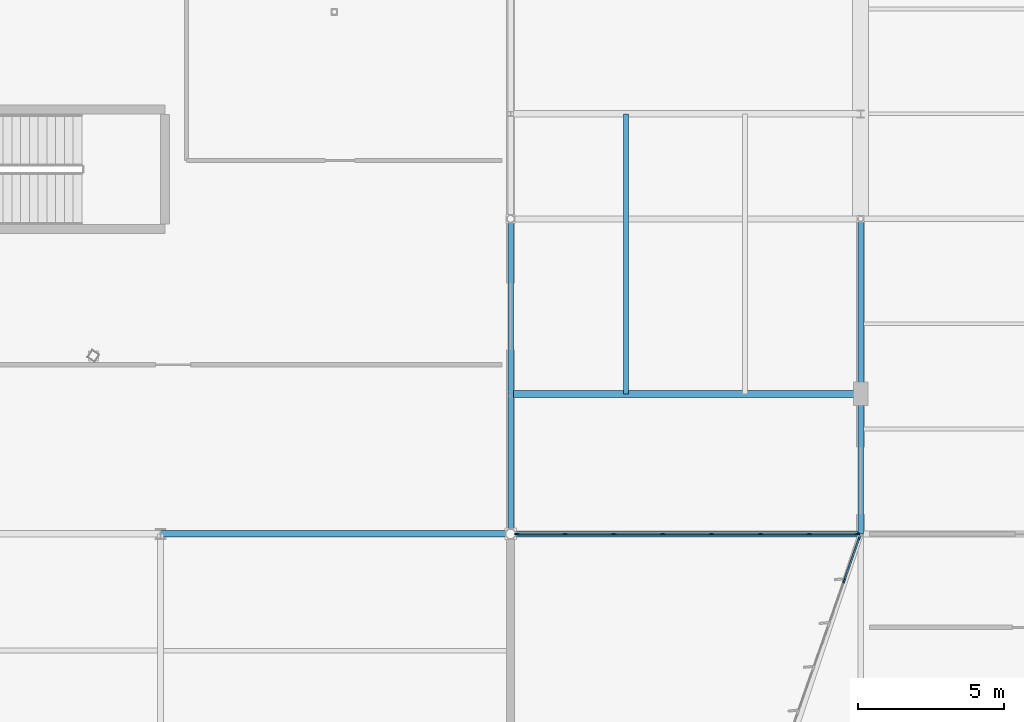
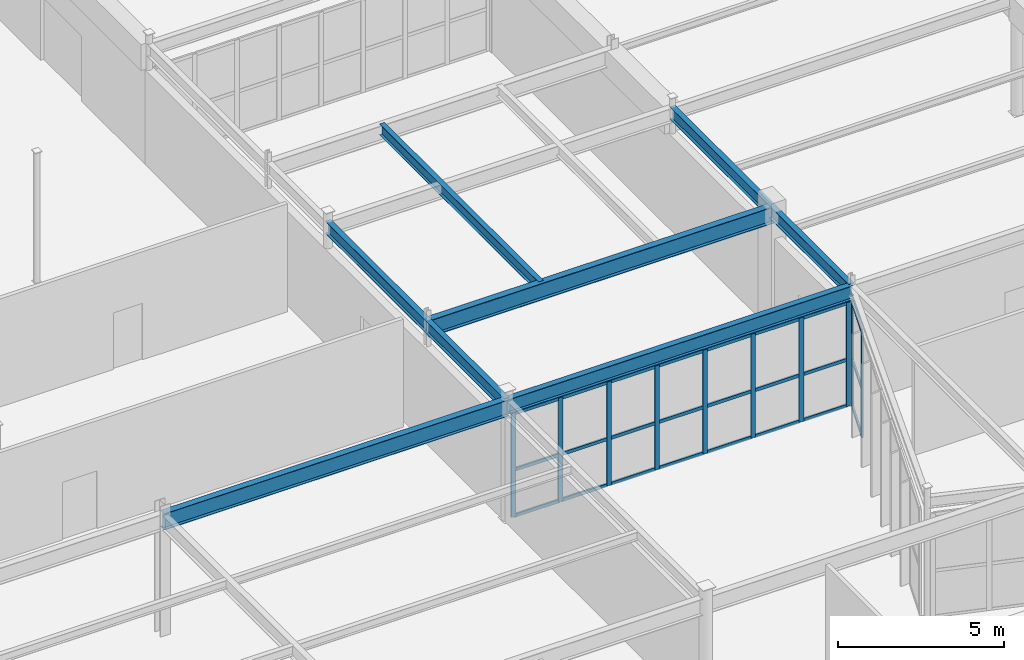
# One storey, part 105 of 199: 34 members, 6 beams, 2 elements without a shape of their own.
"""IFC4 building model written with IfcOpenShell, lengths in metres."""

from ifc_helpers import new_model, si_unit, direction, frame, origin, origin_2d, place, context, subcontext, project, spatial, rectangle, i_section, extrude, material, layer, layer_set, material_profile, profile_set, type_object, element, aggregate, save


model = new_model("IFC4")

# Units and contexts
model_context = context("Model", 3, precision=1e-05, world=origin(), true_north=direction((0.0, 1.0)))
body_context = subcontext(model_context, "Body", "Model", "MODEL_VIEW")
ifc_project = project(units=[si_unit("LENGTHUNIT", "METRE"), si_unit("AREAUNIT", "SQUARE_METRE"), si_unit("VOLUMEUNIT", "CUBIC_METRE"), si_unit("PLANEANGLEUNIT", "RADIAN"), si_unit("MASSUNIT", "GRAM", prefix="KILO")], contexts=[model_context])

# Site, building, storey
site_placement = place(None, origin())
site = spatial("IfcSite", under=ifc_project, at=site_placement, CompositionType="ELEMENT")
building_placement = place(site_placement, origin())
building = spatial("IfcBuilding", under=site, at=building_placement, Name="Tarnwether General Hospital", CompositionType="ELEMENT")
storey_placement = place(building_placement, origin())
storey = spatial("IfcBuildingStorey", under=building, at=storey_placement, Name="L00", CompositionType="ELEMENT", Elevation=0.0)

# Beams
ifc_material_1 = material(Name="Steel Grade 350 (350 MPa)", Category="steel")
ifc_material_profile_1 = material_profile(ifc_material_1, i_section(OverallWidth=0.22900390625, OverallDepth=0.612060546875, WebThickness=0.011962890625, FlangeThickness=0.01953125, at=origin_2d()), Name="610UB125")
ifc_profile_set_1 = profile_set([ifc_material_profile_1], Name="Steel Grade 350 (350 MPa)")
beam_type_1 = type_object("IfcBeamType", Name="BM-G03", PredefinedType="BEAM", material=ifc_profile_set_1)
beam_1_placement = place(storey_placement, frame((132.0, 98.39990234375, 4.138916015625), z_axis=(1.0, 0.0, 0.0), x_axis=(0.0, 1.0, 0.0)))
element("IfcBeam", 1, at=beam_1_placement, inside=storey, type_object=beam_type_1, Name="Court Link Bridge Girder North BMG-L00-13200_9840-14400_9840-1858", PredefinedType="BEAM", context=body_context, shape_type="SweptSolid", body=[
    extrude(i_section(OverallWidth=0.22900390625, OverallDepth=0.612060546875, WebThickness=0.011962890625, FlangeThickness=0.01953125, at=origin_2d()), origin(), (0.0, 0.0, 1.0), 12.0),
])
ifc_material_2 = material(Name="Steel Grade 350 (350 MPa)", Category="steel")
ifc_material_profile_2 = material_profile(ifc_material_2, i_section(OverallWidth=0.22802734375, OverallDepth=0.60205078125, WebThickness=0.010498046875, FlangeThickness=0.014892578125, at=origin_2d()), Name="610UB101")
ifc_profile_set_2 = profile_set([ifc_material_profile_2], Name="Steel Grade 350 (350 MPa)")
beam_type_2 = type_object("IfcBeamType", Name="BM-G05", PredefinedType="BEAM", material=ifc_profile_set_2)
beam_2_placement = place(storey_placement, frame((120.0, 93.60009765625, 4.14404296875), z_axis=(1.0, 0.0, 0.0), x_axis=(0.0, 1.0, 0.0)))
element("IfcBeam", 2, at=beam_2_placement, inside=storey, type_object=beam_type_2, Name="Primary Girder BMG-L00-12000_9360-13200_9360-0764", PredefinedType="BEAM", context=body_context, shape_type="SweptSolid", body=[
    extrude(i_section(OverallWidth=0.22802734375, OverallDepth=0.60205078125, WebThickness=0.010498046875, FlangeThickness=0.014892578125, at=origin_2d()), origin(), (0.0, 0.0, 1.0), 12.0),
])
ifc_material_3 = material(Name="Steel Grade 350 (350 MPa)", Category="steel")
ifc_material_profile_3 = material_profile(ifc_material_3, i_section(OverallWidth=0.208984375, OverallDepth=0.532958984375, WebThickness=0.01025390625, FlangeThickness=0.015625, at=origin_2d()), Name="530UB92.4")
ifc_profile_set_3 = profile_set([ifc_material_profile_3], Name="Steel Grade 350 (350 MPa)")
beam_type_3 = type_object("IfcBeamType", Name="BM-G06", PredefinedType="BEAM", material=ifc_profile_set_3)
beam_3_placement = place(storey_placement, frame((132.0, 93.60009765625, 4.178466796875), z_axis=(1.0, 0.0, 0.0), x_axis=(0.0, 1.0, 0.0)))
element("IfcBeam", 3, at=beam_3_placement, inside=storey, type_object=beam_type_3, Name="Primary Girder BMG-L00-13200_9360-14400_9360-0777", PredefinedType="BEAM", context=body_context, shape_type="SweptSolid", body=[
    extrude(i_section(OverallWidth=0.208984375, OverallDepth=0.532958984375, WebThickness=0.01025390625, FlangeThickness=0.015625, at=origin_2d()), origin(), (0.0, 0.0, 1.0), 12.0),
])
ifc_material_4 = material(Name="Steel Grade 350 (350 MPa)", Category="steel")
ifc_material_profile_4 = material_profile(ifc_material_4, i_section(OverallWidth=0.18994140625, OverallDepth=0.45703125, WebThickness=0.009033203125, FlangeThickness=0.014404296875, at=origin_2d()), Name="460UB74.6")
ifc_profile_set_4 = profile_set([ifc_material_profile_4], Name="Steel Grade 350 (350 MPa)")
beam_type_4 = type_object("IfcBeamType", Name="BM-G09", PredefinedType="BEAM", material=ifc_profile_set_4)
beam_4_placement = place(storey_placement, frame((132.0, 93.60009765625, 4.216552734375), z_axis=(0.0, 1.0, 0.0), x_axis=(-1.0, 0.0, 0.0)))
element("IfcBeam", 4, at=beam_4_placement, inside=storey, type_object=beam_type_4, Name="Primary Girder BMG-L00-13200_9360-13200_10440-0778", PredefinedType="BEAM", context=body_context, shape_type="SweptSolid", body=[
    extrude(i_section(OverallWidth=0.18994140625, OverallDepth=0.45703125, WebThickness=0.009033203125, FlangeThickness=0.014404296875, at=origin_2d()), origin(), (0.0, 0.0, 1.0), 10.7998046875),
])
ifc_material_5 = material(Name="Steel Grade 350 (350 MPa)", Category="steel")
ifc_material_profile_5 = material_profile(ifc_material_5, i_section(OverallWidth=0.18994140625, OverallDepth=0.4541015625, WebThickness=0.008544921875, FlangeThickness=0.0126953125, at=origin_2d()), Name="460UB67.1")
ifc_profile_set_5 = profile_set([ifc_material_profile_5], Name="Steel Grade 350 (350 MPa)")
beam_type_5 = type_object("IfcBeamType", Name="BM-G10", PredefinedType="BEAM", material=ifc_profile_set_5)
beam_5_placement = place(storey_placement, frame((144.0, 93.60009765625, 4.218017578125), z_axis=(0.0, 1.0, 0.0), x_axis=(-1.0, 0.0, 0.0)))
element("IfcBeam", 5, at=beam_5_placement, inside=storey, type_object=beam_type_5, Name="Primary Girder BMG-L00-14400_9360-14400_10440-0799", PredefinedType="BEAM", context=body_context, shape_type="SweptSolid", body=[
    extrude(i_section(OverallWidth=0.18994140625, OverallDepth=0.4541015625, WebThickness=0.008544921875, FlangeThickness=0.0126953125, at=origin_2d()), origin(), (0.0, 0.0, 1.0), 10.7998046875),
])
ifc_material_6 = material(Name="Steel Grade 350 (350 MPa)", Category="steel")
ifc_material_profile_6 = material_profile(ifc_material_6, i_section(OverallWidth=0.177978515625, OverallDepth=0.403076171875, WebThickness=0.007568359375, FlangeThickness=0.010986328125, at=origin_2d()), Name="410UB53.7")
ifc_profile_set_6 = profile_set([ifc_material_profile_6], Name="Steel Grade 350 (350 MPa)")
beam_type_6 = type_object("IfcBeamType", Name="BM-J02", PredefinedType="JOIST", material=ifc_profile_set_6)
beam_6_placement = place(storey_placement, frame((135.9599609375, 98.39990234375, 4.243408203125), z_axis=(0.0, 1.0, 0.0), x_axis=(-1.0, 0.0, 0.0)))
element("IfcBeam", 6, at=beam_6_placement, inside=storey, type_object=beam_type_6, Name="Court Link Bridge Cross Beam North BMG-L00-13596_9840-13596_10800-1860", PredefinedType="JOIST", context=body_context, shape_type="SweptSolid", body=[
    extrude(i_section(OverallWidth=0.177978515625, OverallDepth=0.403076171875, WebThickness=0.007568359375, FlangeThickness=0.010986328125, at=origin_2d()), origin(), (0.0, 0.0, 1.0), 9.60009765625),
])

# Curtain wall, members
ifc_material_7 = material(Name="Anodised aluminium", Category="aluminium")
ifc_layer_1 = layer(ifc_material_7, 0.159912109375)
ifc_layer_set_1 = layer_set([ifc_layer_1], Name="Anodised aluminium")
curtain_wall_type_1 = type_object("IfcCurtainWallType", Name="CW-20", PredefinedType="NOTDEFINED", material=ifc_layer_set_1)
curtain_wall_1_placement = place(storey_placement, origin())
curtain_wall_1 = element("IfcCurtainWall", 7, at=curtain_wall_1_placement, inside=storey, type_object=curtain_wall_type_1, Name="Curtain Wall CWG-L00-1403_830-0297", PredefinedType="NOTDEFINED")
ifc_material_8 = material(Name="Anodised aluminium", Category="aluminium")
ifc_material_profile_7 = material_profile(ifc_material_8, rectangle(XDim=0.06005859375, YDim=0.159912109375, at=origin_2d()), Name="ALU-MUL-60x160")
ifc_profile_set_7 = profile_set([ifc_material_profile_7], Name="Anodised aluminium")
member_type_1 = type_object("IfcMemberType", Name="CW-ML1", PredefinedType="MULLION", material=ifc_profile_set_7)
member_1_placement = place(storey_placement, frame((143.435791015625, 91.99462890625, 0.0), z_axis=(0.0, 0.0, 1.0), x_axis=(-0.943301461195, 0.331937273151, 0.0)))
member_1 = element("IfcMember", 8, at=member_1_placement, type_object=member_type_1, Name="CW-20 mullion 7", PredefinedType="MULLION", context=body_context, shape_type="SweptSolid", body=[
    extrude(rectangle(XDim=0.06005859375, YDim=0.159912109375, at=origin_2d()), origin(), (0.0, 0.0, 1.0), 3.89697265625),
])
member_2_placement = place(storey_placement, frame((143.9541015625, 93.4677734375, 0.0), z_axis=(0.0, 0.0, 1.0), x_axis=(-0.943301461195, 0.331937273151, 0.0)))
member_2 = element("IfcMember", 9, at=member_2_placement, type_object=member_type_1, Name="CW-20 mullion 8", PredefinedType="MULLION", context=body_context, shape_type="SweptSolid", body=[
    extrude(rectangle(XDim=0.06005859375, YDim=0.159912109375, at=origin_2d()), origin(), (0.0, 0.0, 1.0), 3.89697265625),
])

ifc_material_9 = material(Name="Anodised aluminium", Category="aluminium")
ifc_layer_2 = layer(ifc_material_9, 0.159912109375)
ifc_layer_set_2 = layer_set([ifc_layer_2], Name="Anodised aluminium")
curtain_wall_type_2 = type_object("IfcCurtainWallType", Name="CW-10", PredefinedType="NOTDEFINED", material=ifc_layer_set_2)
curtain_wall_2_placement = place(storey_placement, origin())
curtain_wall_2 = element("IfcCurtainWall", 10, at=curtain_wall_2_placement, inside=storey, type_object=curtain_wall_type_2, Name="Curtain Wall CWG-L00-1439_936-0316", PredefinedType="NOTDEFINED")
member_3_placement = place(storey_placement, frame((143.885009765625, 93.60009765625, 0.0), z_axis=(0.0, 0.0, 1.0), x_axis=(0.0, -1.0, 0.0)))
member_3 = element("IfcMember", 11, at=member_3_placement, type_object=member_type_1, Name="CW-10 mullion 1", PredefinedType="MULLION", context=body_context, shape_type="SweptSolid", body=[
    extrude(rectangle(XDim=0.06005859375, YDim=0.159912109375, at=origin_2d()), origin(), (0.0, 0.0, 1.0), 3.827880859375),
])
member_4_placement = place(storey_placement, frame((142.239501953125, 93.60009765625, 0.0), z_axis=(0.0, 0.0, 1.0), x_axis=(0.0, -1.0, 0.0)))
member_4 = element("IfcMember", 12, at=member_4_placement, type_object=member_type_1, Name="CW-10 mullion 2", PredefinedType="MULLION", context=body_context, shape_type="SweptSolid", body=[
    extrude(rectangle(XDim=0.06005859375, YDim=0.159912109375, at=origin_2d()), origin(), (0.0, 0.0, 1.0), 3.827880859375),
])
member_5_placement = place(storey_placement, frame((140.56396484375, 93.60009765625, 0.0), z_axis=(0.0, 0.0, 1.0), x_axis=(0.0, -1.0, 0.0)))
member_5 = element("IfcMember", 13, at=member_5_placement, type_object=member_type_1, Name="CW-10 mullion 3", PredefinedType="MULLION", context=body_context, shape_type="SweptSolid", body=[
    extrude(rectangle(XDim=0.06005859375, YDim=0.159912109375, at=origin_2d()), origin(), (0.0, 0.0, 1.0), 3.827880859375),
])
member_6_placement = place(storey_placement, frame((138.88818359375, 93.60009765625, 0.0), z_axis=(0.0, 0.0, 1.0), x_axis=(0.0, -1.0, 0.0)))
member_6 = element("IfcMember", 14, at=member_6_placement, type_object=member_type_1, Name="CW-10 mullion 4", PredefinedType="MULLION", context=body_context, shape_type="SweptSolid", body=[
    extrude(rectangle(XDim=0.06005859375, YDim=0.159912109375, at=origin_2d()), origin(), (0.0, 0.0, 1.0), 3.827880859375),
])
member_7_placement = place(storey_placement, frame((137.212646484375, 93.60009765625, 0.0), z_axis=(0.0, 0.0, 1.0), x_axis=(0.0, -1.0, 0.0)))
member_7 = element("IfcMember", 15, at=member_7_placement, type_object=member_type_1, Name="CW-10 mullion 5", PredefinedType="MULLION", context=body_context, shape_type="SweptSolid", body=[
    extrude(rectangle(XDim=0.06005859375, YDim=0.159912109375, at=origin_2d()), origin(), (0.0, 0.0, 1.0), 3.827880859375),
])
member_8_placement = place(storey_placement, frame((135.537109375, 93.60009765625, 0.0), z_axis=(0.0, 0.0, 1.0), x_axis=(0.0, -1.0, 0.0)))
member_8 = element("IfcMember", 16, at=member_8_placement, type_object=member_type_1, Name="CW-10 mullion 6", PredefinedType="MULLION", context=body_context, shape_type="SweptSolid", body=[
    extrude(rectangle(XDim=0.06005859375, YDim=0.159912109375, at=origin_2d()), origin(), (0.0, 0.0, 1.0), 3.827880859375),
])
member_9_placement = place(storey_placement, frame((133.861572265625, 93.60009765625, 0.0), z_axis=(0.0, 0.0, 1.0), x_axis=(0.0, -1.0, 0.0)))
member_9 = element("IfcMember", 17, at=member_9_placement, type_object=member_type_1, Name="CW-10 mullion 7", PredefinedType="MULLION", context=body_context, shape_type="SweptSolid", body=[
    extrude(rectangle(XDim=0.06005859375, YDim=0.159912109375, at=origin_2d()), origin(), (0.0, 0.0, 1.0), 3.827880859375),
])
member_10_placement = place(storey_placement, frame((132.216064453125, 93.60009765625, 0.0), z_axis=(0.0, 0.0, 1.0), x_axis=(0.0, -1.0, 0.0)))
member_10 = element("IfcMember", 18, at=member_10_placement, type_object=member_type_1, Name="CW-10 mullion 8", PredefinedType="MULLION", context=body_context, shape_type="SweptSolid", body=[
    extrude(rectangle(XDim=0.06005859375, YDim=0.159912109375, at=origin_2d()), origin(), (0.0, 0.0, 1.0), 3.827880859375),
])

# Member
ifc_material_10 = material(Name="Anodised aluminium", Category="aluminium")
ifc_material_profile_8 = material_profile(ifc_material_10, rectangle(XDim=0.06005859375, YDim=0.1201171875, at=origin_2d()), Name="ALU-TRN-60x120")
ifc_profile_set_8 = profile_set([ifc_material_profile_8], Name="Anodised aluminium")
member_type_2 = type_object("IfcMemberType", Name="CW-TR1", PredefinedType="USERDEFINED", material=ifc_profile_set_8)
member_11_placement = place(storey_placement, frame((143.445556640625, 92.02294921875, 0.030029296875), z_axis=(0.331986582125, 0.943284108468, 0.0), x_axis=(-0.943284108468, 0.331986582125, 0.0)))
member_11 = element("IfcMember", 19, at=member_11_placement, type_object=member_type_2, Name="CW-20 transom 7.1", ObjectType="TRANSOM", PredefinedType="USERDEFINED", context=body_context, shape_type="SweptSolid", body=[
    extrude(rectangle(XDim=0.06005859375, YDim=0.1201171875, at=origin_2d()), origin(), (0.0, 0.0, 1.0), 1.501708984375),
])

member_12_placement = place(storey_placement, frame((143.445556640625, 92.02294921875, 1.753662109375), z_axis=(0.331986582125, 0.943284108468, 0.0), x_axis=(-0.943284108468, 0.331986582125, 0.0)))
member_12 = element("IfcMember", 20, at=member_12_placement, type_object=member_type_2, Name="CW-20 transom 7.2", ObjectType="TRANSOM", PredefinedType="USERDEFINED", context=body_context, shape_type="SweptSolid", body=[
    extrude(rectangle(XDim=0.06005859375, YDim=0.1201171875, at=origin_2d()), origin(), (0.0, 0.0, 1.0), 1.501708984375),
])

member_13_placement = place(storey_placement, frame((143.445556640625, 92.02294921875, 3.866943359375), z_axis=(0.331986582125, 0.943284108468, 0.0), x_axis=(-0.943284108468, 0.331986582125, 0.0)))
member_13 = element("IfcMember", 21, at=member_13_placement, type_object=member_type_2, Name="CW-20 transom 7.3", ObjectType="TRANSOM", PredefinedType="USERDEFINED", context=body_context, shape_type="SweptSolid", body=[
    extrude(rectangle(XDim=0.06005859375, YDim=0.1201171875, at=origin_2d()), origin(), (0.0, 0.0, 1.0), 1.501708984375),
])

aggregate(curtain_wall_1, [member_1, member_2, member_11, member_12, member_13])

member_14_placement = place(storey_placement, frame((143.85498046875, 93.60009765625, 0.030029296875), z_axis=(-1.0, 0.0, 0.0), x_axis=(0.0, -1.0, 0.0)))
member_14 = element("IfcMember", 22, at=member_14_placement, type_object=member_type_2, Name="CW-10 transom 1.1", ObjectType="TRANSOM", PredefinedType="USERDEFINED", context=body_context, shape_type="SweptSolid", body=[
    extrude(rectangle(XDim=0.06005859375, YDim=0.1201171875, at=origin_2d()), origin(), (0.0, 0.0, 1.0), 1.58544921875),
])

member_15_placement = place(storey_placement, frame((143.85498046875, 93.60009765625, 1.72265625), z_axis=(-1.0, 0.0, 0.0), x_axis=(0.0, -1.0, 0.0)))
member_15 = element("IfcMember", 23, at=member_15_placement, type_object=member_type_2, Name="CW-10 transom 1.2", ObjectType="TRANSOM", PredefinedType="USERDEFINED", context=body_context, shape_type="SweptSolid", body=[
    extrude(rectangle(XDim=0.06005859375, YDim=0.1201171875, at=origin_2d()), origin(), (0.0, 0.0, 1.0), 1.58544921875),
])

member_16_placement = place(storey_placement, frame((143.85498046875, 93.60009765625, 3.798095703125), z_axis=(-1.0, 0.0, 0.0), x_axis=(0.0, -1.0, 0.0)))
member_16 = element("IfcMember", 24, at=member_16_placement, type_object=member_type_2, Name="CW-10 transom 1.3", ObjectType="TRANSOM", PredefinedType="USERDEFINED", context=body_context, shape_type="SweptSolid", body=[
    extrude(rectangle(XDim=0.06005859375, YDim=0.1201171875, at=origin_2d()), origin(), (0.0, 0.0, 1.0), 1.58544921875),
])

member_17_placement = place(storey_placement, frame((142.20947265625, 93.60009765625, 0.030029296875), z_axis=(-1.0, 0.0, 0.0), x_axis=(0.0, -1.0, 0.0)))
member_17 = element("IfcMember", 25, at=member_17_placement, type_object=member_type_2, Name="CW-10 transom 2.1", ObjectType="TRANSOM", PredefinedType="USERDEFINED", context=body_context, shape_type="SweptSolid", body=[
    extrude(rectangle(XDim=0.06005859375, YDim=0.1201171875, at=origin_2d()), origin(), (0.0, 0.0, 1.0), 1.61572265625),
])

member_18_placement = place(storey_placement, frame((142.20947265625, 93.60009765625, 1.72265625), z_axis=(-1.0, 0.0, 0.0), x_axis=(0.0, -1.0, 0.0)))
member_18 = element("IfcMember", 26, at=member_18_placement, type_object=member_type_2, Name="CW-10 transom 2.2", ObjectType="TRANSOM", PredefinedType="USERDEFINED", context=body_context, shape_type="SweptSolid", body=[
    extrude(rectangle(XDim=0.06005859375, YDim=0.1201171875, at=origin_2d()), origin(), (0.0, 0.0, 1.0), 1.61572265625),
])

member_19_placement = place(storey_placement, frame((142.20947265625, 93.60009765625, 3.798095703125), z_axis=(-1.0, 0.0, 0.0), x_axis=(0.0, -1.0, 0.0)))
member_19 = element("IfcMember", 27, at=member_19_placement, type_object=member_type_2, Name="CW-10 transom 2.3", ObjectType="TRANSOM", PredefinedType="USERDEFINED", context=body_context, shape_type="SweptSolid", body=[
    extrude(rectangle(XDim=0.06005859375, YDim=0.1201171875, at=origin_2d()), origin(), (0.0, 0.0, 1.0), 1.61572265625),
])

member_20_placement = place(storey_placement, frame((140.533935546875, 93.60009765625, 0.030029296875), z_axis=(-1.0, 0.0, 0.0), x_axis=(0.0, -1.0, 0.0)))
member_20 = element("IfcMember", 28, at=member_20_placement, type_object=member_type_2, Name="CW-10 transom 3.1", ObjectType="TRANSOM", PredefinedType="USERDEFINED", context=body_context, shape_type="SweptSolid", body=[
    extrude(rectangle(XDim=0.06005859375, YDim=0.1201171875, at=origin_2d()), origin(), (0.0, 0.0, 1.0), 1.61572265625),
])

member_21_placement = place(storey_placement, frame((140.533935546875, 93.60009765625, 1.72265625), z_axis=(-1.0, 0.0, 0.0), x_axis=(0.0, -1.0, 0.0)))
member_21 = element("IfcMember", 29, at=member_21_placement, type_object=member_type_2, Name="CW-10 transom 3.2", ObjectType="TRANSOM", PredefinedType="USERDEFINED", context=body_context, shape_type="SweptSolid", body=[
    extrude(rectangle(XDim=0.06005859375, YDim=0.1201171875, at=origin_2d()), origin(), (0.0, 0.0, 1.0), 1.61572265625),
])

member_22_placement = place(storey_placement, frame((140.533935546875, 93.60009765625, 3.798095703125), z_axis=(-1.0, 0.0, 0.0), x_axis=(0.0, -1.0, 0.0)))
member_22 = element("IfcMember", 30, at=member_22_placement, type_object=member_type_2, Name="CW-10 transom 3.3", ObjectType="TRANSOM", PredefinedType="USERDEFINED", context=body_context, shape_type="SweptSolid", body=[
    extrude(rectangle(XDim=0.06005859375, YDim=0.1201171875, at=origin_2d()), origin(), (0.0, 0.0, 1.0), 1.61572265625),
])

member_23_placement = place(storey_placement, frame((138.8583984375, 93.60009765625, 0.030029296875), z_axis=(-1.0, 0.0, 0.0), x_axis=(0.0, -1.0, 0.0)))
member_23 = element("IfcMember", 31, at=member_23_placement, type_object=member_type_2, Name="CW-10 transom 4.1", ObjectType="TRANSOM", PredefinedType="USERDEFINED", context=body_context, shape_type="SweptSolid", body=[
    extrude(rectangle(XDim=0.06005859375, YDim=0.1201171875, at=origin_2d()), origin(), (0.0, 0.0, 1.0), 1.61572265625),
])

member_24_placement = place(storey_placement, frame((138.8583984375, 93.60009765625, 1.72265625), z_axis=(-1.0, 0.0, 0.0), x_axis=(0.0, -1.0, 0.0)))
member_24 = element("IfcMember", 32, at=member_24_placement, type_object=member_type_2, Name="CW-10 transom 4.2", ObjectType="TRANSOM", PredefinedType="USERDEFINED", context=body_context, shape_type="SweptSolid", body=[
    extrude(rectangle(XDim=0.06005859375, YDim=0.1201171875, at=origin_2d()), origin(), (0.0, 0.0, 1.0), 1.61572265625),
])

member_25_placement = place(storey_placement, frame((138.8583984375, 93.60009765625, 3.798095703125), z_axis=(-1.0, 0.0, 0.0), x_axis=(0.0, -1.0, 0.0)))
member_25 = element("IfcMember", 33, at=member_25_placement, type_object=member_type_2, Name="CW-10 transom 4.3", ObjectType="TRANSOM", PredefinedType="USERDEFINED", context=body_context, shape_type="SweptSolid", body=[
    extrude(rectangle(XDim=0.06005859375, YDim=0.1201171875, at=origin_2d()), origin(), (0.0, 0.0, 1.0), 1.61572265625),
])

member_26_placement = place(storey_placement, frame((137.1826171875, 93.60009765625, 0.030029296875), z_axis=(-1.0, 0.0, 0.0), x_axis=(0.0, -1.0, 0.0)))
member_26 = element("IfcMember", 34, at=member_26_placement, type_object=member_type_2, Name="CW-10 transom 5.1", ObjectType="TRANSOM", PredefinedType="USERDEFINED", context=body_context, shape_type="SweptSolid", body=[
    extrude(rectangle(XDim=0.06005859375, YDim=0.1201171875, at=origin_2d()), origin(), (0.0, 0.0, 1.0), 1.615478515625),
])

member_27_placement = place(storey_placement, frame((137.1826171875, 93.60009765625, 1.72265625), z_axis=(-1.0, 0.0, 0.0), x_axis=(0.0, -1.0, 0.0)))
member_27 = element("IfcMember", 35, at=member_27_placement, type_object=member_type_2, Name="CW-10 transom 5.2", ObjectType="TRANSOM", PredefinedType="USERDEFINED", context=body_context, shape_type="SweptSolid", body=[
    extrude(rectangle(XDim=0.06005859375, YDim=0.1201171875, at=origin_2d()), origin(), (0.0, 0.0, 1.0), 1.615478515625),
])

member_28_placement = place(storey_placement, frame((137.1826171875, 93.60009765625, 3.798095703125), z_axis=(-1.0, 0.0, 0.0), x_axis=(0.0, -1.0, 0.0)))
member_28 = element("IfcMember", 36, at=member_28_placement, type_object=member_type_2, Name="CW-10 transom 5.3", ObjectType="TRANSOM", PredefinedType="USERDEFINED", context=body_context, shape_type="SweptSolid", body=[
    extrude(rectangle(XDim=0.06005859375, YDim=0.1201171875, at=origin_2d()), origin(), (0.0, 0.0, 1.0), 1.615478515625),
])

member_29_placement = place(storey_placement, frame((135.507080078125, 93.60009765625, 0.030029296875), z_axis=(-1.0, 0.0, 0.0), x_axis=(0.0, -1.0, 0.0)))
member_29 = element("IfcMember", 37, at=member_29_placement, type_object=member_type_2, Name="CW-10 transom 6.1", ObjectType="TRANSOM", PredefinedType="USERDEFINED", context=body_context, shape_type="SweptSolid", body=[
    extrude(rectangle(XDim=0.06005859375, YDim=0.1201171875, at=origin_2d()), origin(), (0.0, 0.0, 1.0), 1.615478515625),
])

member_30_placement = place(storey_placement, frame((135.507080078125, 93.60009765625, 1.72265625), z_axis=(-1.0, 0.0, 0.0), x_axis=(0.0, -1.0, 0.0)))
member_30 = element("IfcMember", 38, at=member_30_placement, type_object=member_type_2, Name="CW-10 transom 6.2", ObjectType="TRANSOM", PredefinedType="USERDEFINED", context=body_context, shape_type="SweptSolid", body=[
    extrude(rectangle(XDim=0.06005859375, YDim=0.1201171875, at=origin_2d()), origin(), (0.0, 0.0, 1.0), 1.615478515625),
])

member_31_placement = place(storey_placement, frame((135.507080078125, 93.60009765625, 3.798095703125), z_axis=(-1.0, 0.0, 0.0), x_axis=(0.0, -1.0, 0.0)))
member_31 = element("IfcMember", 39, at=member_31_placement, type_object=member_type_2, Name="CW-10 transom 6.3", ObjectType="TRANSOM", PredefinedType="USERDEFINED", context=body_context, shape_type="SweptSolid", body=[
    extrude(rectangle(XDim=0.06005859375, YDim=0.1201171875, at=origin_2d()), origin(), (0.0, 0.0, 1.0), 1.615478515625),
])

member_32_placement = place(storey_placement, frame((133.83154296875, 93.60009765625, 0.030029296875), z_axis=(-1.0, 0.0, 0.0), x_axis=(0.0, -1.0, 0.0)))
member_32 = element("IfcMember", 40, at=member_32_placement, type_object=member_type_2, Name="CW-10 transom 7.1", ObjectType="TRANSOM", PredefinedType="USERDEFINED", context=body_context, shape_type="SweptSolid", body=[
    extrude(rectangle(XDim=0.06005859375, YDim=0.1201171875, at=origin_2d()), origin(), (0.0, 0.0, 1.0), 1.58544921875),
])

member_33_placement = place(storey_placement, frame((133.83154296875, 93.60009765625, 1.72265625), z_axis=(-1.0, 0.0, 0.0), x_axis=(0.0, -1.0, 0.0)))
member_33 = element("IfcMember", 41, at=member_33_placement, type_object=member_type_2, Name="CW-10 transom 7.2", ObjectType="TRANSOM", PredefinedType="USERDEFINED", context=body_context, shape_type="SweptSolid", body=[
    extrude(rectangle(XDim=0.06005859375, YDim=0.1201171875, at=origin_2d()), origin(), (0.0, 0.0, 1.0), 1.58544921875),
])

member_34_placement = place(storey_placement, frame((133.83154296875, 93.60009765625, 3.798095703125), z_axis=(-1.0, 0.0, 0.0), x_axis=(0.0, -1.0, 0.0)))
member_34 = element("IfcMember", 42, at=member_34_placement, type_object=member_type_2, Name="CW-10 transom 7.3", ObjectType="TRANSOM", PredefinedType="USERDEFINED", context=body_context, shape_type="SweptSolid", body=[
    extrude(rectangle(XDim=0.06005859375, YDim=0.1201171875, at=origin_2d()), origin(), (0.0, 0.0, 1.0), 1.58544921875),
])

aggregate(curtain_wall_2, [member_3, member_4, member_5, member_6, member_7, member_8, member_9, member_10, member_14, member_15, member_16, member_17, member_18, member_19, member_20, member_21, member_22, member_23, member_24, member_25, member_26, member_27, member_28, member_29, member_30, member_31, member_32, member_33, member_34])

save(model, "model.ifc")
